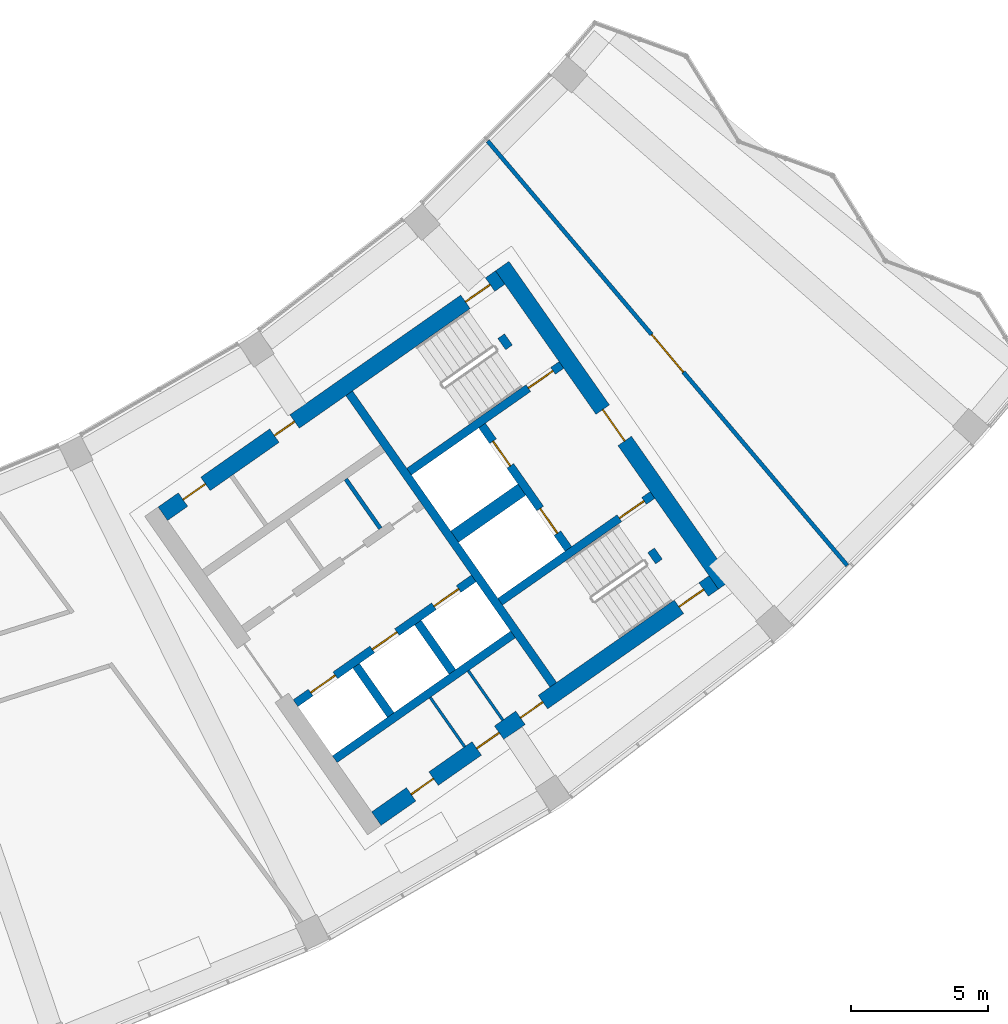
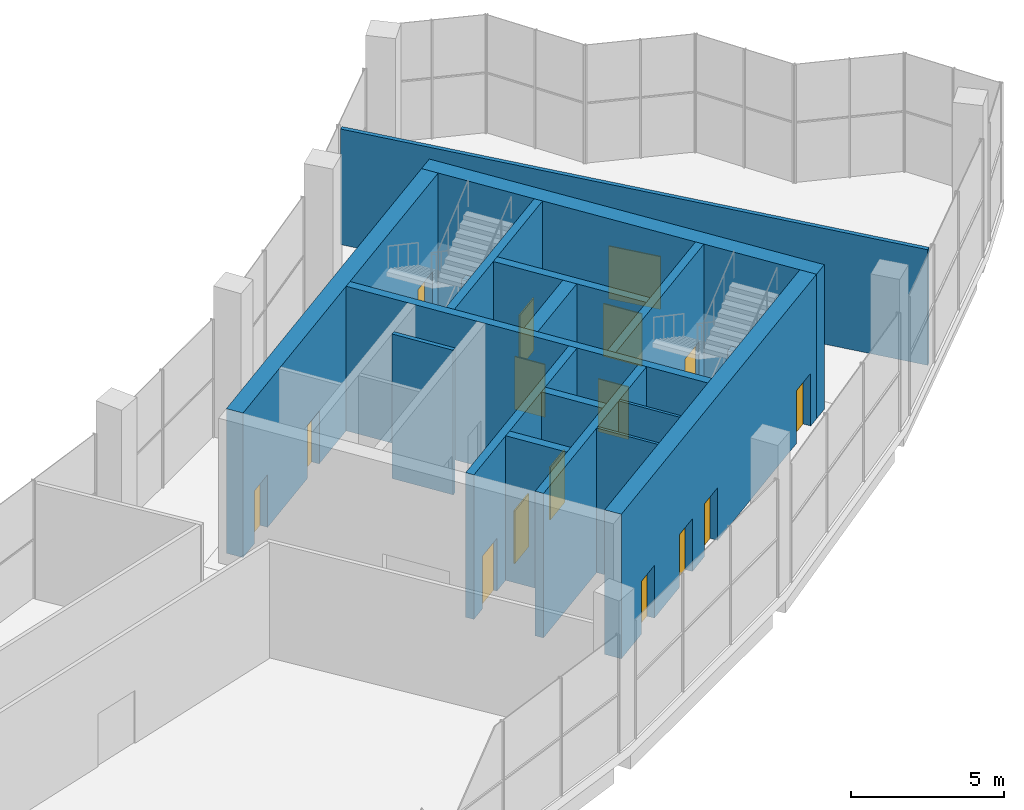
# One storey, part 5 of 41: 18 walls, 16 doors, 16 openings.
"""IFC4 building model written with IfcOpenShell, lengths in metres."""

from ifc_helpers import new_model, si_unit, direction, frame, frame_2d, origin, place, context, subcontext, project, spatial, rectangle, extrude, material, layer, layer_set, type_object, element, fill, save


model = new_model("IFC4")

# Units and contexts
model_context = context("Model", 3, precision=1e-05, world=origin(), true_north=direction((0.0, 1.0)))
body_context = subcontext(model_context, "Body", "Model", "MODEL_VIEW")
ifc_project = project(units=[si_unit("LENGTHUNIT", "METRE"), si_unit("AREAUNIT", "SQUARE_METRE"), si_unit("VOLUMEUNIT", "CUBIC_METRE"), si_unit("PLANEANGLEUNIT", "RADIAN"), si_unit("MASSUNIT", "GRAM", prefix="KILO")], contexts=[model_context])

# Site, building, storey
site_placement = place(None, origin())
site = spatial("IfcSite", under=ifc_project, at=site_placement, CompositionType="ELEMENT")
building_placement = place(site_placement, origin())
building = spatial("IfcBuilding", under=site, at=building_placement, Name="Qamariyya Broadcast Tower", CompositionType="ELEMENT")
storey_placement = place(building_placement, frame((0.0, 0.0, 284.699951171875)))
storey = spatial("IfcBuildingStorey", under=building, at=storey_placement, Name="L69", CompositionType="ELEMENT", Elevation=284.699951171875)

# Wall, opening, door
ifc_material_1 = material(Name="Concrete C60/75", Category="concrete")
ifc_layer_1 = layer(ifc_material_1, 0.60009765625)
ifc_layer_set_1 = layer_set([ifc_layer_1], Name="Core wall 600 mm Concrete C60/75")
wall_type_1 = type_object("IfcWallType", Name="Core wall 600 mm Concrete C60/75", PredefinedType="SHEAR", material=ifc_layer_set_1)
wall_1_placement = place(storey_placement, frame((49.4833984375, -57.031494140625, 0.0), z_axis=(0.0, 0.0, 1.0), x_axis=(-0.573560421458, 0.819163257805, 0.0)))
wall_1 = element("IfcWall", 1, at=wall_1_placement, inside=storey, type_object=wall_type_1, Name="k-E-L69-WH", PredefinedType="SHEAR", context=body_context, shape_type="SweptSolid", body=[
    extrude(rectangle(XDim=14.199951171875, YDim=0.60009765625, at=frame_2d((7.10009765625, 0.0))), origin(), (0.0, 0.0, 1.0), 5.75),
])
opening_1_placement = place(wall_1_placement, frame((6.39990234375, 0.0, 0.0)))
opening_1 = element("IfcOpeningElement", 2, at=opening_1_placement, cuts=wall_1, Name="Opening KD2-E1", PredefinedType="OPENING", context=body_context, shape_type="SweptSolid", body=[
    extrude(rectangle(XDim=1.39990234375, YDim=2.10009765625, at=frame_2d((0.699951171875, 1.050048828125))), frame((0.0, 0.31005859375, 0.0), z_axis=(0.0, -1.0, 0.0), x_axis=(1.0, 0.0, 0.0)), (0.0, 0.0, 1.0), 0.6201171875),
])
ifc_material_2 = material(Name="Steel fire-resisting door leaf", Category="steel")
door_type_1 = type_object("IfcDoorType", Name="Fire-fighting lobby door KD2", OperationType="DOUBLE_DOOR_SINGLE_SWING", PredefinedType="DOOR", material=ifc_material_2)
door_1_placement = place(opening_1_placement, origin())
door_1 = element("IfcDoor", 3, at=door_1_placement, inside=storey, type_object=door_type_1, Name="k-E-L69-WH-D15", OperationType="DOUBLE_DOOR_SINGLE_SWING", OverallHeight=2.10009765625, OverallWidth=1.39990234375, PredefinedType="DOOR", context=body_context, shape_type="SweptSolid", body=[
    extrude(rectangle(XDim=1.39990234375, YDim=2.10009765625, at=frame_2d((0.699951171875, 1.050048828125))), frame((0.0, 0.02490234375, 0.0), z_axis=(0.0, -1.0, 0.0), x_axis=(1.0, 0.0, 0.0)), (0.0, 0.0, 1.0), 0.050048828125),
])
fill(opening_1, door_1)

# Wall, openings, doors
wall_2_placement = place(storey_placement, frame((28.940673828125, -54.447021484375, 0.0), z_axis=(0.0, 0.0, 1.0), x_axis=(0.819153391756, 0.573574511963, 0.0)))
wall_2 = element("IfcWall", 4, at=wall_2_placement, inside=storey, type_object=wall_type_1, Name="k-E-L69-WI", PredefinedType="SHEAR", context=body_context, shape_type="SweptSolid", body=[
    extrude(rectangle(XDim=15.04541015625, YDim=0.60009765625, at=frame_2d((7.522705078125, 0.0))), origin(), (0.0, 0.0, 1.0), 5.75),
])
opening_2_placement = place(wall_2_placement, frame((0.89990234375, 0.0, 0.0)))
opening_2 = element("IfcOpeningElement", 5, at=opening_2_placement, cuts=wall_2, Name="Opening KD7-E1", PredefinedType="OPENING", context=body_context, shape_type="SweptSolid", body=[
    extrude(rectangle(XDim=1.0, YDim=2.10009765625, at=frame_2d((0.5, 1.050048828125))), frame((0.0, 0.31005859375, 0.0), z_axis=(0.0, -1.0, 0.0), x_axis=(1.0, 0.0, 0.0)), (0.0, 0.0, 1.0), 0.6201171875),
])
opening_3_placement = place(wall_2_placement, frame((4.97509765625, 0.0, 0.0)))
opening_3 = element("IfcOpeningElement", 6, at=opening_3_placement, cuts=wall_2, Name="Opening KD5-E1", PredefinedType="OPENING", context=body_context, shape_type="SweptSolid", body=[
    extrude(rectangle(XDim=0.89990234375, YDim=2.10009765625, at=frame_2d((0.449951171875, 1.050048828125))), frame((0.0, 0.31005859375, 0.0), z_axis=(0.0, -1.0, 0.0), x_axis=(1.0, 0.0, 0.0)), (0.0, 0.0, 1.0), 0.6201171875),
])
opening_4_placement = place(wall_2_placement, frame((13.495361328125, 0.0, 0.0)))
opening_4 = element("IfcOpeningElement", 7, at=opening_4_placement, cuts=wall_2, Name="Opening KD1-E1", PredefinedType="OPENING", context=body_context, shape_type="SweptSolid", body=[
    extrude(rectangle(XDim=1.10009765625, YDim=2.10009765625, at=frame_2d((0.550048828125, 1.050048828125))), frame((0.0, 0.31005859375, 0.0), z_axis=(0.0, -1.0, 0.0), x_axis=(1.0, 0.0, 0.0)), (0.0, 0.0, 1.0), 0.6201171875),
])
door_type_2 = type_object("IfcDoorType", Name="Accessible toilet door KD7", OperationType="SINGLE_SWING_LEFT", PredefinedType="DOOR", material=ifc_material_2)
door_2_placement = place(opening_2_placement, origin())
door_2 = element("IfcDoor", 8, at=door_2_placement, inside=storey, type_object=door_type_2, Name="k-E-L69-WI-D8", OperationType="SINGLE_SWING_RIGHT", OverallHeight=2.10009765625, OverallWidth=1.0, PredefinedType="DOOR", context=body_context, shape_type="SweptSolid", body=[
    extrude(rectangle(XDim=1.0, YDim=2.10009765625, at=frame_2d((0.5, 1.050048828125))), frame((0.0, 0.02490234375, 0.0), z_axis=(0.0, -1.0, 0.0), x_axis=(1.0, 0.0, 0.0)), (0.0, 0.0, 1.0), 0.050048828125),
])
fill(opening_2, door_2)
door_type_3 = type_object("IfcDoorType", Name="Stair door KD1", OperationType="SINGLE_SWING_LEFT", PredefinedType="DOOR", material=ifc_material_2)
door_3_placement = place(opening_4_placement, origin())
door_3 = element("IfcDoor", 9, at=door_3_placement, inside=storey, type_object=door_type_3, Name="k-E-L69-WI-D16", OperationType="SINGLE_SWING_RIGHT", OverallHeight=2.10009765625, OverallWidth=1.10009765625, PredefinedType="DOOR", context=body_context, shape_type="SweptSolid", body=[
    extrude(rectangle(XDim=1.10009765625, YDim=2.10009765625, at=frame_2d((0.550048828125, 1.050048828125))), frame((0.0, 0.02490234375, 0.0), z_axis=(0.0, -1.0, 0.0), x_axis=(1.0, 0.0, 0.0)), (0.0, 0.0, 1.0), 0.050048828125),
])
fill(opening_4, door_3)
door_type_4 = type_object("IfcDoorType", Name="Toilet door KD5", OperationType="SINGLE_SWING_LEFT", PredefinedType="DOOR", material=ifc_material_2)
door_4_placement = place(opening_3_placement, origin())
door_4 = element("IfcDoor", 10, at=door_4_placement, inside=storey, type_object=door_type_4, Name="k-E-L69-WI-D9", OperationType="SINGLE_SWING_LEFT", OverallHeight=2.10009765625, OverallWidth=0.89990234375, PredefinedType="DOOR", context=body_context, shape_type="SweptSolid", body=[
    extrude(rectangle(XDim=0.89990234375, YDim=2.10009765625, at=frame_2d((0.449951171875, 1.050048828125))), frame((0.0, 0.02490234375, 0.0), z_axis=(0.0, -1.0, 0.0), x_axis=(1.0, 0.0, 0.0)), (0.0, 0.0, 1.0), 0.050048828125),
])
fill(opening_3, door_4)

wall_3_placement = place(storey_placement, frame((36.7412109375, -65.58740234375, 0.0), z_axis=(0.0, 0.0, 1.0), x_axis=(0.819153391756, 0.573574511963, 0.0)))
wall_3 = element("IfcWall", 11, at=wall_3_placement, inside=storey, type_object=wall_type_1, Name="k-E-L69-WO", PredefinedType="SHEAR", context=body_context, shape_type="SweptSolid", body=[
    extrude(rectangle(XDim=15.04541015625, YDim=0.60009765625, at=frame_2d((7.522705078125, 0.0))), origin(), (0.0, 0.0, 1.0), 5.75),
])
opening_5_placement = place(wall_3_placement, frame((1.550048828125, 0.0, 0.0)))
opening_5 = element("IfcOpeningElement", 12, at=opening_5_placement, cuts=wall_3, Name="Opening KD4-E2", PredefinedType="OPENING", context=body_context, shape_type="SweptSolid", body=[
    extrude(rectangle(XDim=1.0, YDim=2.10009765625, at=frame_2d((0.5, 1.050048828125))), frame((0.0, 0.31005859375, 0.0), z_axis=(0.0, -1.0, 0.0), x_axis=(1.0, 0.0, 0.0)), (0.0, 0.0, 1.0), 0.6201171875),
])
opening_6_placement = place(wall_3_placement, frame((4.47509765625, 0.0, 0.0)))
opening_6 = element("IfcOpeningElement", 13, at=opening_6_placement, cuts=wall_3, Name="Opening KD4-E3", PredefinedType="OPENING", context=body_context, shape_type="SweptSolid", body=[
    extrude(rectangle(XDim=1.0, YDim=2.10009765625, at=frame_2d((0.5, 1.050048828125))), frame((0.0, 0.31005859375, 0.0), z_axis=(0.0, -1.0, 0.0), x_axis=(1.0, 0.0, 0.0)), (0.0, 0.0, 1.0), 0.6201171875),
])
opening_7_placement = place(wall_3_placement, frame((6.425048828125, 0.0, 0.0)))
opening_7 = element("IfcOpeningElement", 14, at=opening_7_placement, cuts=wall_3, Name="Opening KD4-E4", PredefinedType="OPENING", context=body_context, shape_type="SweptSolid", body=[
    extrude(rectangle(XDim=1.0, YDim=2.10009765625, at=frame_2d((0.5, 1.050048828125))), frame((0.0, 0.31005859375, 0.0), z_axis=(0.0, -1.0, 0.0), x_axis=(1.0, 0.0, 0.0)), (0.0, 0.0, 1.0), 0.6201171875),
])
opening_8_placement = place(wall_3_placement, frame((13.495361328125, 0.0, 0.0)))
opening_8 = element("IfcOpeningElement", 15, at=opening_8_placement, cuts=wall_3, Name="Opening KD1-E3", PredefinedType="OPENING", context=body_context, shape_type="SweptSolid", body=[
    extrude(rectangle(XDim=1.10009765625, YDim=2.10009765625, at=frame_2d((0.550048828125, 1.050048828125))), frame((0.0, 0.31005859375, 0.0), z_axis=(0.0, -1.0, 0.0), x_axis=(1.0, 0.0, 0.0)), (0.0, 0.0, 1.0), 0.6201171875),
])
door_type_5 = type_object("IfcDoorType", Name="Riser and plant door KD4", OperationType="SINGLE_SWING_LEFT", PredefinedType="DOOR", material=ifc_material_2)
door_5_placement = place(opening_5_placement, origin())
door_5 = element("IfcDoor", 16, at=door_5_placement, inside=storey, type_object=door_type_5, Name="k-E-L69-WO-D10", OperationType="SINGLE_SWING_RIGHT", OverallHeight=2.10009765625, OverallWidth=1.0, PredefinedType="DOOR", context=body_context, shape_type="SweptSolid", body=[
    extrude(rectangle(XDim=1.0, YDim=2.10009765625, at=frame_2d((0.5, 1.050048828125))), frame((0.0, 0.02490234375, 0.0), z_axis=(0.0, -1.0, 0.0), x_axis=(1.0, 0.0, 0.0)), (0.0, 0.0, 1.0), 0.050048828125),
])
fill(opening_5, door_5)
door_6_placement = place(opening_6_placement, origin())
door_6 = element("IfcDoor", 17, at=door_6_placement, inside=storey, type_object=door_type_5, Name="k-E-L69-WO-D11", OperationType="SINGLE_SWING_LEFT", OverallHeight=2.10009765625, OverallWidth=1.0, PredefinedType="DOOR", context=body_context, shape_type="SweptSolid", body=[
    extrude(rectangle(XDim=1.0, YDim=2.10009765625, at=frame_2d((0.5, 1.050048828125))), frame((0.0, 0.02490234375, 0.0), z_axis=(0.0, -1.0, 0.0), x_axis=(1.0, 0.0, 0.0)), (0.0, 0.0, 1.0), 0.050048828125),
])
fill(opening_6, door_6)
door_7_placement = place(opening_7_placement, origin())
door_7 = element("IfcDoor", 18, at=door_7_placement, inside=storey, type_object=door_type_5, Name="k-E-L69-WO-D12", OperationType="SINGLE_SWING_RIGHT", OverallHeight=2.10009765625, OverallWidth=1.0, PredefinedType="DOOR", context=body_context, shape_type="SweptSolid", body=[
    extrude(rectangle(XDim=1.0, YDim=2.10009765625, at=frame_2d((0.5, 1.050048828125))), frame((0.0, 0.02490234375, 0.0), z_axis=(0.0, -1.0, 0.0), x_axis=(1.0, 0.0, 0.0)), (0.0, 0.0, 1.0), 0.050048828125),
])
fill(opening_7, door_7)
door_8_placement = place(opening_8_placement, origin())
door_8 = element("IfcDoor", 19, at=door_8_placement, inside=storey, type_object=door_type_3, Name="k-E-L69-WO-D18", OperationType="SINGLE_SWING_LEFT", OverallHeight=2.10009765625, OverallWidth=1.10009765625, PredefinedType="DOOR", context=body_context, shape_type="SweptSolid", body=[
    extrude(rectangle(XDim=1.10009765625, YDim=2.10009765625, at=frame_2d((0.550048828125, 1.050048828125))), frame((0.0, 0.02490234375, 0.0), z_axis=(0.0, -1.0, 0.0), x_axis=(1.0, 0.0, 0.0)), (0.0, 0.0, 1.0), 0.050048828125),
])
fill(opening_8, door_8)

# Wall, opening, door
ifc_material_3 = material(Name="Gypsum board partition")
ifc_layer_2 = layer(ifc_material_3, 0.14990234375)
ifc_layer_set_2 = layer_set([ifc_layer_2], Name="Corridor partition 150 EI 60")
wall_type_2 = type_object("IfcWallType", Name="Corridor partition 150 EI 60", PredefinedType="PARTITIONING", material=ifc_layer_set_2)
wall_4_placement = place(storey_placement, frame((40.80712890625, -40.83056640625, 0.0), z_axis=(0.0, 0.0, 1.0), x_axis=(0.646427254639, -0.762975625076, 0.0)))
wall_4 = element("IfcWall", 20, at=wall_4_placement, inside=storey, type_object=wall_type_2, Name="Partition L69-022", PredefinedType="PARTITIONING", context=body_context, shape_type="SweptSolid", body=[
    extrude(rectangle(XDim=20.325439453125, YDim=0.14990234375, at=frame_2d((10.16259765625, 0.0))), origin(), (0.0, 0.0, 1.0), 4.60009765625),
])
opening_9_placement = place(wall_4_placement, frame((9.2626953125, 0.0, 0.0)))
opening_9 = element("IfcOpeningElement", 21, at=opening_9_placement, cuts=wall_4, Name="Opening L69-D10", PredefinedType="OPENING", context=body_context, shape_type="SweptSolid", body=[
    extrude(rectangle(XDim=1.800048828125, YDim=2.10009765625, at=frame_2d((0.89990234375, 1.050048828125))), frame((0.0, 0.0849609375, 0.0), z_axis=(0.0, -1.0, 0.0), x_axis=(1.0, 0.0, 0.0)), (0.0, 0.0, 1.0), 0.169921875),
])
ifc_material_4 = material(Name="Timber fire door leaf", Category="wood")
door_type_6 = type_object("IfcDoorType", Name="Double fire door 1800 x 2100 FD60", OperationType="NOTDEFINED", PredefinedType="DOOR", material=ifc_material_4)
door_9_placement = place(opening_9_placement, origin())
door_9 = element("IfcDoor", 22, at=door_9_placement, inside=storey, type_object=door_type_6, Name="Door L69-D10", OperationType="DOUBLE_DOOR_SINGLE_SWING", OverallHeight=2.10009765625, OverallWidth=1.800048828125, PredefinedType="DOOR", context=body_context, shape_type="SweptSolid", body=[
    extrude(rectangle(XDim=1.800048828125, YDim=2.10009765625, at=frame_2d((0.89990234375, 1.050048828125))), frame((0.0, 0.02490234375, 0.0), z_axis=(0.0, -1.0, 0.0), x_axis=(1.0, 0.0, 0.0)), (0.0, 0.0, 1.0), 0.050048828125),
])
fill(opening_9, door_9)

# Walls
ifc_layer_3 = layer(ifc_material_1, 0.5)
ifc_layer_set_3 = layer_set([ifc_layer_3], Name="Fire-fighting lobby divider wall 500 mm Concrete C60/75")
wall_type_3 = type_object("IfcWallType", Name="Fire-fighting lobby divider wall 500 mm Concrete C60/75", PredefinedType="SOLIDWALL", material=ifc_layer_set_3)
wall_5_placement = place(storey_placement, frame((39.59912109375, -55.28515625, 0.0), z_axis=(0.0, 0.0, 1.0), x_axis=(0.819136323161, 0.573598887793, 0.0)))
element("IfcWall", 23, at=wall_5_placement, inside=storey, type_object=wall_type_3, Name="k-E-L69-FD", PredefinedType="SOLIDWALL", context=body_context, shape_type="SweptSolid", body=[
    extrude(rectangle(XDim=2.999755859375, YDim=0.5, at=frame_2d((1.5, 0.0))), origin(), (0.0, 0.0, 1.0), 5.75),
])
ifc_material_5 = material(Name="Gypsum board partition on steel studs", Category="steel")
ifc_layer_4 = layer(ifc_material_5, 0.14990234375)
ifc_layer_set_4 = layer_set([ifc_layer_4], Name="Gypsum board partition 150 mm")
wall_type_4 = type_object("IfcWallType", Name="Gypsum board partition 150 mm", PredefinedType="PARTITIONING", material=ifc_layer_set_4)
wall_6_placement = place(storey_placement, frame((36.88720703125, -54.986572265625, 0.0), z_axis=(0.0, 0.0, 1.0), x_axis=(-0.573507030513, 0.819200638399, 0.0)))
element("IfcWall", 24, at=wall_6_placement, inside=storey, type_object=wall_type_4, Name="k-E-L69-NC620", PredefinedType="PARTITIONING", context=body_context, shape_type="SweptSolid", body=[
    extrude(rectangle(XDim=2.199951171875, YDim=0.14990234375, at=frame_2d((1.10009765625, 0.0))), origin(), (0.0, 0.0, 1.0), 5.75),
])
ifc_layer_5 = layer(ifc_material_1, 0.300048828125)
ifc_layer_set_5 = layer_set([ifc_layer_5], Name="Lift shaft wall 300 mm Concrete C60/75")
wall_type_5 = type_object("IfcWallType", Name="Lift shaft wall 300 mm Concrete C60/75", PredefinedType="SOLIDWALL", material=ifc_layer_set_5)
wall_7_placement = place(storey_placement, frame((43.204345703125, -60.69580078125, 0.0), z_axis=(0.0, 0.0, 1.0), x_axis=(-0.573571992966, 0.819155155563, 0.0)))
element("IfcWall", 25, at=wall_7_placement, inside=storey, type_object=wall_type_5, Name="k-E-L69-WL", PredefinedType="SOLIDWALL", context=body_context, shape_type="SweptSolid", body=[
    extrude(rectangle(XDim=13.000244140625, YDim=0.300048828125, at=frame_2d((6.5, 0.0))), origin(), (0.0, 0.0, 1.0), 5.75),
])

# Wall, openings, doors
wall_8_placement = place(storey_placement, frame((33.787353515625, -61.368896484375, 0.0), z_axis=(0.0, 0.0, 1.0), x_axis=(0.819152564888, 0.573575692858, 0.0)))
wall_8 = element("IfcWall", 26, at=wall_8_placement, inside=storey, type_object=wall_type_5, Name="k-E-L69-SF0", PredefinedType="SOLIDWALL", context=body_context, shape_type="SweptSolid", body=[
    extrude(rectangle(XDim=7.9501953125, YDim=0.300048828125, at=frame_2d((3.97509765625, 0.0))), origin(), (0.0, 0.0, 1.0), 5.75),
])
opening_10_placement = place(wall_8_placement, frame((0.675048828125, 0.0, 0.0)))
opening_10 = element("IfcOpeningElement", 27, at=opening_10_placement, cuts=wall_8, Name="Opening LD", PredefinedType="OPENING", context=body_context, shape_type="SweptSolid", body=[
    extrude(rectangle(XDim=1.10009765625, YDim=2.10009765625, at=frame_2d((0.550048828125, 1.050048828125))), frame((0.0, 0.159912109375, 0.0), z_axis=(0.0, -1.0, 0.0), x_axis=(1.0, 0.0, 0.0)), (0.0, 0.0, 1.0), 0.320068359375),
])
opening_11_placement = place(wall_8_placement, frame((3.425048828125, 0.0, 0.0)))
opening_11 = element("IfcOpeningElement", 28, at=opening_11_placement, cuts=wall_8, Name="Opening LD", PredefinedType="OPENING", context=body_context, shape_type="SweptSolid", body=[
    extrude(rectangle(XDim=1.10009765625, YDim=2.10009765625, at=frame_2d((0.550048828125, 1.050048828125))), frame((0.0, 0.159912109375, 0.0), z_axis=(0.0, -1.0, 0.0), x_axis=(1.0, 0.0, 0.0)), (0.0, 0.0, 1.0), 0.320068359375),
])
opening_12_placement = place(wall_8_placement, frame((6.175048828125, 0.0, 0.0)))
opening_12 = element("IfcOpeningElement", 29, at=opening_12_placement, cuts=wall_8, Name="Opening LD", PredefinedType="OPENING", context=body_context, shape_type="SweptSolid", body=[
    extrude(rectangle(XDim=1.10009765625, YDim=2.10009765625, at=frame_2d((0.550048828125, 1.050048828125))), frame((0.0, 0.159912109375, 0.0), z_axis=(0.0, -1.0, 0.0), x_axis=(1.0, 0.0, 0.0)), (0.0, 0.0, 1.0), 0.320068359375),
])
door_type_7 = type_object("IfcDoorType", Name="Lift landing door LD", OperationType="DOUBLE_DOOR_SLIDING", PredefinedType="DOOR", material=ifc_material_2)
door_10_placement = place(opening_10_placement, origin())
door_10 = element("IfcDoor", 30, at=door_10_placement, inside=storey, type_object=door_type_7, Name="k-E-L69-SF0-D5", OperationType="DOUBLE_DOOR_SLIDING", OverallHeight=2.10009765625, OverallWidth=1.10009765625, PredefinedType="DOOR", context=body_context, shape_type="SweptSolid", body=[
    extrude(rectangle(XDim=1.10009765625, YDim=2.10009765625, at=frame_2d((0.550048828125, 1.050048828125))), frame((0.0, 0.02490234375, 0.0), z_axis=(0.0, -1.0, 0.0), x_axis=(1.0, 0.0, 0.0)), (0.0, 0.0, 1.0), 0.050048828125),
])
fill(opening_10, door_10)
door_11_placement = place(opening_11_placement, origin())
door_11 = element("IfcDoor", 31, at=door_11_placement, inside=storey, type_object=door_type_7, Name="k-E-L69-SF0-D6", OperationType="DOUBLE_DOOR_SLIDING", OverallHeight=2.10009765625, OverallWidth=1.10009765625, PredefinedType="DOOR", context=body_context, shape_type="SweptSolid", body=[
    extrude(rectangle(XDim=1.10009765625, YDim=2.10009765625, at=frame_2d((0.550048828125, 1.050048828125))), frame((0.0, 0.02490234375, 0.0), z_axis=(0.0, -1.0, 0.0), x_axis=(1.0, 0.0, 0.0)), (0.0, 0.0, 1.0), 0.050048828125),
])
fill(opening_11, door_11)
door_12_placement = place(opening_12_placement, origin())
door_12 = element("IfcDoor", 32, at=door_12_placement, inside=storey, type_object=door_type_7, Name="k-E-L69-SF0-D7", OperationType="DOUBLE_DOOR_SLIDING", OverallHeight=2.10009765625, OverallWidth=1.10009765625, PredefinedType="DOOR", context=body_context, shape_type="SweptSolid", body=[
    extrude(rectangle(XDim=1.10009765625, YDim=2.10009765625, at=frame_2d((0.550048828125, 1.050048828125))), frame((0.0, 0.02490234375, 0.0), z_axis=(0.0, -1.0, 0.0), x_axis=(1.0, 0.0, 0.0)), (0.0, 0.0, 1.0), 0.050048828125),
])
fill(opening_12, door_12)

# Walls
wall_9_placement = place(storey_placement, frame((35.22119140625, -63.41650390625, 0.0), z_axis=(0.0, 0.0, 1.0), x_axis=(0.819166993208, 0.573555086491, 0.0)))
element("IfcWall", 33, at=wall_9_placement, inside=storey, type_object=wall_type_5, Name="k-E-L69-SB0", PredefinedType="SOLIDWALL", context=body_context, shape_type="SweptSolid", body=[
    extrude(rectangle(XDim=7.9501953125, YDim=0.300048828125, at=frame_2d((3.97509765625, 0.0))), origin(), (0.0, 0.0, 1.0), 5.75),
])
wall_10_placement = place(storey_placement, frame((36.003173828125, -60.000244140625, 0.0), z_axis=(0.0, 0.0, 1.0), x_axis=(0.573581496053, -0.819148501424, 0.0)))
element("IfcWall", 34, at=wall_10_placement, inside=storey, type_object=wall_type_5, Name="k-E-L69-SD0", PredefinedType="SOLIDWALL", context=body_context, shape_type="SweptSolid", body=[
    extrude(rectangle(XDim=2.2001953125, YDim=0.300048828125, at=frame_2d((1.10009765625, 0.0))), origin(), (0.0, 0.0, 1.0), 5.75),
])
wall_11_placement = place(storey_placement, frame((38.255859375, -58.423095703125, 0.0), z_axis=(0.0, 0.0, 1.0), x_axis=(0.573633636671, -0.819111989218, 0.0)))
element("IfcWall", 35, at=wall_11_placement, inside=storey, type_object=wall_type_5, Name="k-E-L69-SD1", PredefinedType="SOLIDWALL", context=body_context, shape_type="SweptSolid", body=[
    extrude(rectangle(XDim=2.199951171875, YDim=0.300048828125, at=frame_2d((1.10009765625, 0.0))), origin(), (0.0, 0.0, 1.0), 5.75),
])

# Wall, opening, door
wall_12_placement = place(storey_placement, frame((37.935546875, -52.90966796875, 0.0), z_axis=(0.0, 0.0, 1.0), x_axis=(0.819147518138, 0.57358290031, 0.0)))
wall_12 = element("IfcWall", 36, at=wall_12_placement, inside=storey, type_object=wall_type_5, Name="k-E-L69-NW", PredefinedType="SOLIDWALL", context=body_context, shape_type="SweptSolid", body=[
    extrude(rectangle(XDim=6.79541015625, YDim=0.300048828125, at=frame_2d((3.397705078125, 0.0))), origin(), (0.0, 0.0, 1.0), 5.75),
])
opening_13_placement = place(wall_12_placement, frame((5.3203125, 0.0, 0.0)))
opening_13 = element("IfcOpeningElement", 37, at=opening_13_placement, cuts=wall_12, Name="Opening KD1-E2", PredefinedType="OPENING", context=body_context, shape_type="SweptSolid", body=[
    extrude(rectangle(XDim=1.10009765625, YDim=2.10009765625, at=frame_2d((0.550048828125, 1.050048828125))), frame((0.0, 0.159912109375, 0.0), z_axis=(0.0, -1.0, 0.0), x_axis=(1.0, 0.0, 0.0)), (0.0, 0.0, 1.0), 0.320068359375),
])
door_13_placement = place(opening_13_placement, origin())
door_13 = element("IfcDoor", 38, at=door_13_placement, inside=storey, type_object=door_type_3, Name="k-E-L69-NW-D17", OperationType="SINGLE_SWING_LEFT", OverallHeight=2.10009765625, OverallWidth=1.10009765625, PredefinedType="DOOR", context=body_context, shape_type="SweptSolid", body=[
    extrude(rectangle(XDim=1.10009765625, YDim=2.10009765625, at=frame_2d((0.550048828125, 1.050048828125))), frame((0.0, 0.02490234375, 0.0), z_axis=(0.0, -1.0, 0.0), x_axis=(1.0, 0.0, 0.0)), (0.0, 0.0, 1.0), 0.050048828125),
])
fill(opening_13, door_13)

wall_13_placement = place(storey_placement, frame((41.262451171875, -57.66064453125, 0.0), z_axis=(0.0, 0.0, 1.0), x_axis=(0.819164398642, 0.573558792102, 0.0)))
wall_13 = element("IfcWall", 39, at=wall_13_placement, inside=storey, type_object=wall_type_5, Name="k-E-L69-SW", PredefinedType="SOLIDWALL", context=body_context, shape_type="SweptSolid", body=[
    extrude(rectangle(XDim=6.795166015625, YDim=0.300048828125, at=frame_2d((3.3974609375, 0.0))), origin(), (0.0, 0.0, 1.0), 5.75),
])
opening_14_placement = place(wall_13_placement, frame((5.3203125, 0.0, 0.0)))
opening_14 = element("IfcOpeningElement", 40, at=opening_14_placement, cuts=wall_13, Name="Opening KD1-E4", PredefinedType="OPENING", context=body_context, shape_type="SweptSolid", body=[
    extrude(rectangle(XDim=1.10009765625, YDim=2.10009765625, at=frame_2d((0.550048828125, 1.050048828125))), frame((0.0, 0.159912109375, 0.0), z_axis=(0.0, -1.0, 0.0), x_axis=(1.0, 0.0, 0.0)), (0.0, 0.0, 1.0), 0.320068359375),
])
door_14_placement = place(opening_14_placement, origin())
door_14 = element("IfcDoor", 41, at=door_14_placement, inside=storey, type_object=door_type_3, Name="k-E-L69-SW-D19", OperationType="SINGLE_SWING_LEFT", OverallHeight=2.10009765625, OverallWidth=1.10009765625, PredefinedType="DOOR", context=body_context, shape_type="SweptSolid", body=[
    extrude(rectangle(XDim=1.10009765625, YDim=2.10009765625, at=frame_2d((0.550048828125, 1.050048828125))), frame((0.0, 0.02490234375, 0.0), z_axis=(0.0, -1.0, 0.0), x_axis=(1.0, 0.0, 0.0)), (0.0, 0.0, 1.0), 0.050048828125),
])
fill(opening_14, door_14)

# Wall, openings, doors
wall_14_placement = place(storey_placement, frame((43.756591796875, -55.731201171875, 0.0), z_axis=(0.0, 0.0, 1.0), x_axis=(-0.573536818435, 0.819179783625, 0.0)))
wall_14 = element("IfcWall", 42, at=wall_14_placement, inside=storey, type_object=wall_type_5, Name="k-E-L69-FF", PredefinedType="SOLIDWALL", context=body_context, shape_type="SweptSolid", body=[
    extrude(rectangle(XDim=5.500244140625, YDim=0.300048828125, at=frame_2d((2.75, 0.0))), origin(), (0.0, 0.0, 1.0), 5.75),
])
opening_15_placement = place(wall_14_placement, frame((0.699951171875, 0.0, 0.0)))
opening_15 = element("IfcOpeningElement", 43, at=opening_15_placement, cuts=wall_14, Name="Opening LD", PredefinedType="OPENING", context=body_context, shape_type="SweptSolid", body=[
    extrude(rectangle(XDim=1.10009765625, YDim=2.10009765625, at=frame_2d((0.550048828125, 1.050048828125))), frame((0.0, 0.159912109375, 0.0), z_axis=(0.0, -1.0, 0.0), x_axis=(1.0, 0.0, 0.0)), (0.0, 0.0, 1.0), 0.320068359375),
])
opening_16_placement = place(wall_14_placement, frame((3.699951171875, 0.0, 0.0)))
opening_16 = element("IfcOpeningElement", 44, at=opening_16_placement, cuts=wall_14, Name="Opening LD", PredefinedType="OPENING", context=body_context, shape_type="SweptSolid", body=[
    extrude(rectangle(XDim=1.10009765625, YDim=2.10009765625, at=frame_2d((0.550048828125, 1.050048828125))), frame((0.0, 0.159912109375, 0.0), z_axis=(0.0, -1.0, 0.0), x_axis=(1.0, 0.0, 0.0)), (0.0, 0.0, 1.0), 0.320068359375),
])
door_15_placement = place(opening_15_placement, origin())
door_15 = element("IfcDoor", 45, at=door_15_placement, inside=storey, type_object=door_type_7, Name="k-E-L69-FF-D13", OperationType="DOUBLE_DOOR_SLIDING", OverallHeight=2.10009765625, OverallWidth=1.10009765625, PredefinedType="DOOR", context=body_context, shape_type="SweptSolid", body=[
    extrude(rectangle(XDim=1.10009765625, YDim=2.10009765625, at=frame_2d((0.550048828125, 1.050048828125))), frame((0.0, 0.02490234375, 0.0), z_axis=(0.0, -1.0, 0.0), x_axis=(1.0, 0.0, 0.0)), (0.0, 0.0, 1.0), 0.050048828125),
])
fill(opening_15, door_15)
door_16_placement = place(opening_16_placement, origin())
door_16 = element("IfcDoor", 46, at=door_16_placement, inside=storey, type_object=door_type_7, Name="k-E-L69-FF-D14", OperationType="DOUBLE_DOOR_SLIDING", OverallHeight=2.10009765625, OverallWidth=1.10009765625, PredefinedType="DOOR", context=body_context, shape_type="SweptSolid", body=[
    extrude(rectangle(XDim=1.10009765625, YDim=2.10009765625, at=frame_2d((0.550048828125, 1.050048828125))), frame((0.0, 0.02490234375, 0.0), z_axis=(0.0, -1.0, 0.0), x_axis=(1.0, 0.0, 0.0)), (0.0, 0.0, 1.0), 0.050048828125),
])
fill(opening_16, door_16)

# Walls
wall_15_placement = place(storey_placement, frame((41.30029296875, -47.959716796875, 0.0), z_axis=(0.0, 0.0, 1.0), x_axis=(0.573495128918, -0.819208970354, 0.0)))
element("IfcWall", 47, at=wall_15_placement, inside=storey, type_object=wall_type_5, Name="k-E-L69-E2PR", PredefinedType="SOLIDWALL", context=body_context, shape_type="SweptSolid", body=[
    extrude(rectangle(XDim=0.499755859375, YDim=0.300048828125, at=frame_2d((0.25, 0.0))), origin(), (0.0, 0.0, 1.0), 2.800048828125),
])
wall_16_placement = place(storey_placement, frame((46.77783203125, -55.782470703125, 0.0), z_axis=(0.0, 0.0, 1.0), x_axis=(0.573822822947, -0.818979467304, 0.0)))
element("IfcWall", 48, at=wall_16_placement, inside=storey, type_object=wall_type_5, Name="k-E-L69-E1PR", PredefinedType="SOLIDWALL", context=body_context, shape_type="SweptSolid", body=[
    extrude(rectangle(XDim=0.5, YDim=0.300048828125, at=frame_2d((0.25, 0.0))), origin(), (0.0, 0.0, 1.0), 2.800048828125),
])
ifc_material_6 = material(Name="Fire-rated gypsum shaft liner on steel studs", Category="steel")
ifc_layer_6 = layer(ifc_material_6, 0.10009765625)
ifc_layer_set_6 = layer_set([ifc_layer_6], Name="Riser wall 100 mm")
wall_type_6 = type_object("IfcWallType", Name="Riser wall 100 mm", PredefinedType="PLUMBINGWALL", material=ifc_layer_set_6)
for number, where, z_axis, x_axis, name in (
    (49, (38.706787109375, -61.1591796875, 0.0), (0.0, 0.0, 1.0), (0.573633636671, -0.819111989218, 0.0), "k-E-L69-SP415"),
    (50, (40.099365234375, -60.18408203125, 0.0), (0.0, 0.0, 1.0), (0.573633636671, -0.819111989218, 0.0), "k-E-L69-SP585"),
):
    element("IfcWall", number, at=place(storey_placement, frame(where, z_axis=z_axis, x_axis=x_axis)), inside=storey, type_object=wall_type_6, Name=name, PredefinedType="PLUMBINGWALL", context=body_context, shape_type="SweptSolid", body=[
        extrude(rectangle(XDim=2.199951171875, YDim=0.10009765625, at=frame_2d((1.10009765625, 0.0))), origin(), (0.0, 0.0, 1.0), 5.75),
    ])

save(model, "model.ifc")
